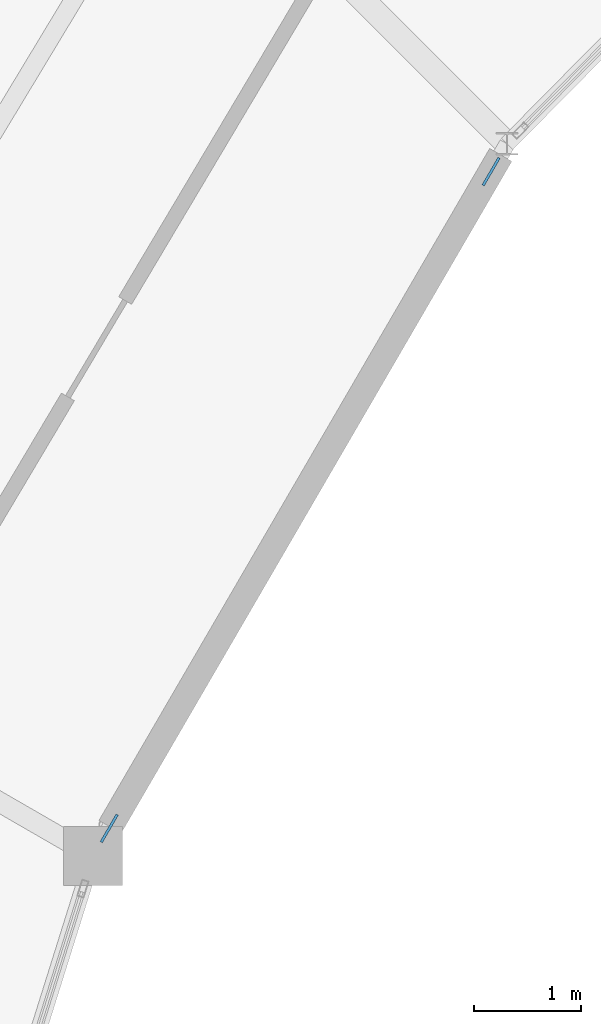
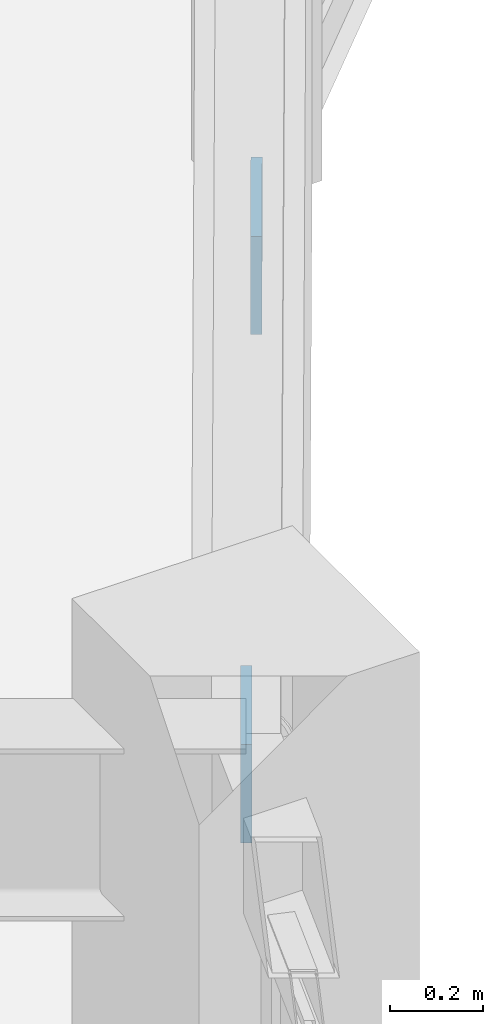
# One storey, part 106 of 130: 2 plates.
"""IFC4 building model written with IfcOpenShell, lengths in metres."""

from ifc_helpers import new_model, si_unit, direction, frame, origin, origin_2d, place, context, subcontext, project, spatial, rectangle, extrude, material, layer, layer_set, type_object, element, save


model = new_model("IFC4")

# Units and contexts
model_context = context("Model", 3, precision=1e-05, world=origin(), true_north=direction((0.0, 1.0)))
body_context = subcontext(model_context, "Body", "Model", "MODEL_VIEW")
ifc_project = project(units=[si_unit("LENGTHUNIT", "METRE"), si_unit("AREAUNIT", "SQUARE_METRE"), si_unit("VOLUMEUNIT", "CUBIC_METRE"), si_unit("PLANEANGLEUNIT", "RADIAN"), si_unit("MASSUNIT", "GRAM", prefix="KILO")], contexts=[model_context])

# Site, building, storey
site_placement = place(None, origin())
site = spatial("IfcSite", under=ifc_project, at=site_placement, CompositionType="ELEMENT")
building_placement = place(site_placement, origin())
building = spatial("IfcBuilding", under=site, at=building_placement, Name="Karori Crest Natural Sciences Institute", CompositionType="ELEMENT")
storey_placement = place(building_placement, frame((0.0, 0.0, 17.5)))
storey = spatial("IfcBuildingStorey", under=building, at=storey_placement, Name="L04", CompositionType="ELEMENT", Elevation=17.5)

# Plates
ifc_material = material(Name="Structural steel AS/NZS 3679.1 Grade 350", Category="steel")
ifc_layer = layer(ifc_material, 0.02490234375, Name="Structural steel AS/NZS 3679.1 Grade 350")
ifc_layer_set = layer_set([ifc_layer], Name="Structural steel AS/NZS 3679.1 Grade 350")
plate_type = type_object("IfcPlateType", Name="PLT-06", PredefinedType="SHEET", material=ifc_layer_set)
for number, where, z_axis, x_axis, name in (
    (1, (48.995849609375, 72.409423828125, -0.11962890625), (0.0, 0.0, 1.0), (0.502651840669, 0.86448893982, 0.0), "Brace gusset plate EP-0043"),
    (2, (45.419921875, 66.25927734375, 3.5205078125), (0.0, 0.0, 1.0), (0.502651840669, 0.86448893982, 0.0), "Brace gusset plate EP-0044"),
):
    element("IfcPlate", number, at=place(storey_placement, frame(where, z_axis=z_axis, x_axis=x_axis)), inside=storey, type_object=plate_type, Name=name, PredefinedType="SHEET", context=body_context, shape_type="SweptSolid", body=[
        extrude(rectangle(XDim=0.299072265625, YDim=0.02490234375, at=origin_2d()), origin(), (0.0, 0.0, 1.0), 0.259033203125),
    ])

save(model, "model.ifc")
